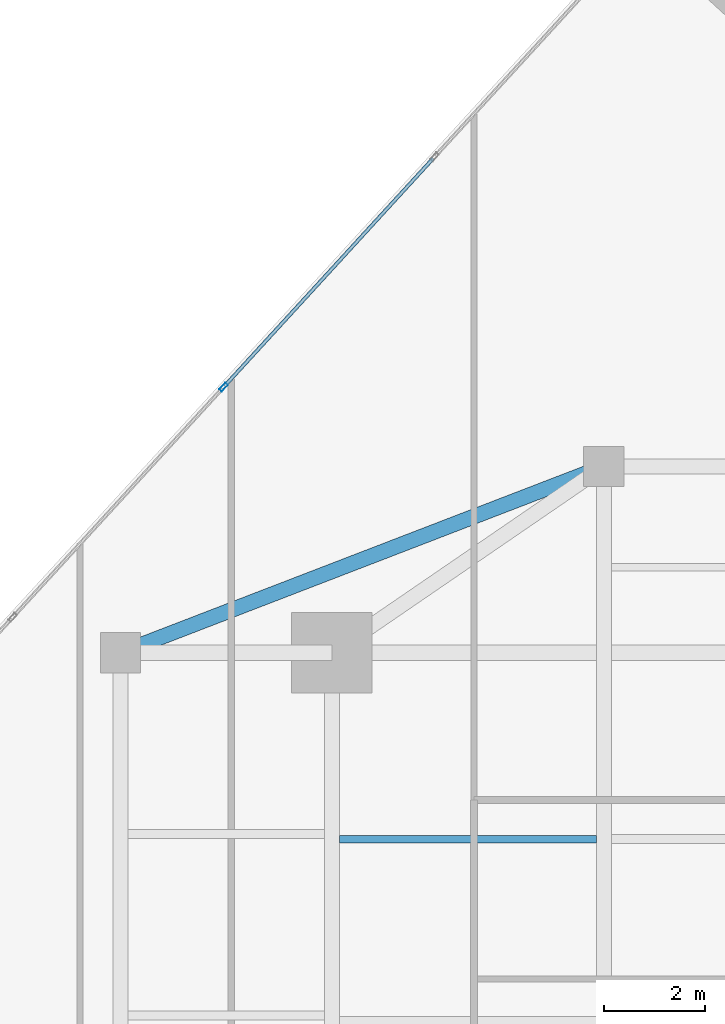
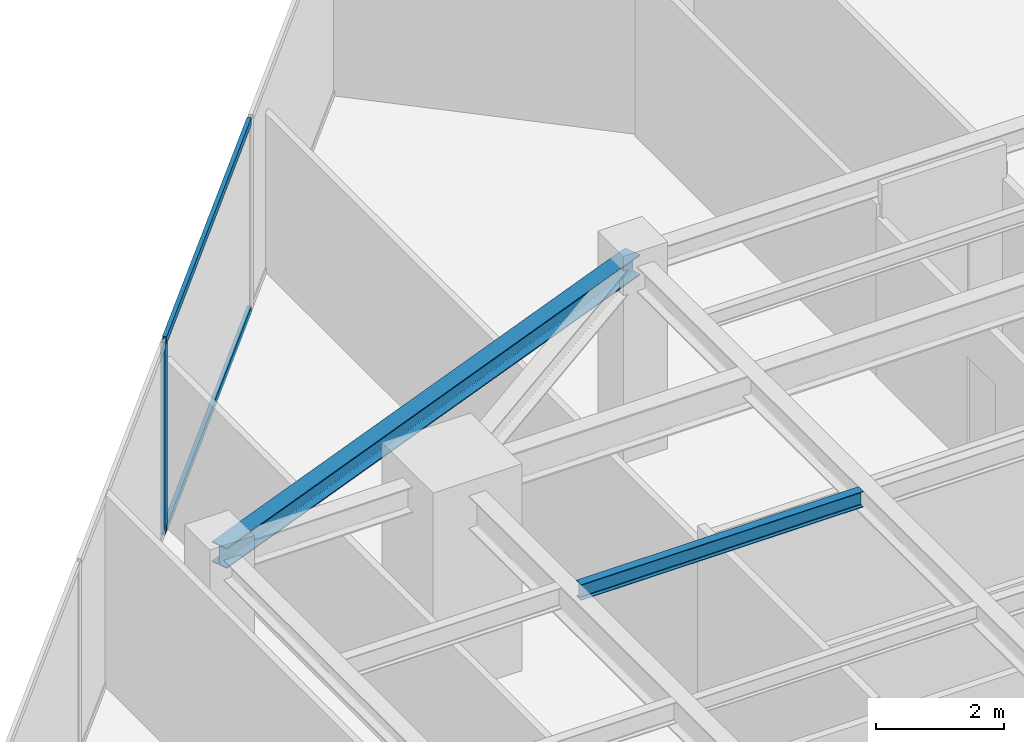
# One storey, part 15 of 26: 3 members, 2 beams, 1 element without a shape of its own.
"""IFC4 building model written with IfcOpenShell, lengths in metres."""

from ifc_helpers import new_model, si_unit, direction, frame, origin, origin_2d, place, context, subcontext, project, spatial, hollow_rectangle, i_section, extrude, source, transform, mapped, material, material_profile, profile_set, type_object, type_shapes, element, aggregate, save


model = new_model("IFC4")

# Units and contexts
model_context = context("Model", 3, precision=1e-05, world=origin(), true_north=direction((0.0, 1.0)))
body_context = subcontext(model_context, "Body", "Model", "MODEL_VIEW")
ifc_project = project(units=[si_unit("LENGTHUNIT", "METRE"), si_unit("AREAUNIT", "SQUARE_METRE"), si_unit("VOLUMEUNIT", "CUBIC_METRE"), si_unit("PLANEANGLEUNIT", "RADIAN"), si_unit("MASSUNIT", "GRAM", prefix="KILO")], contexts=[model_context])

# Site, building, storey
site_placement = place(None, origin())
site = spatial("IfcSite", under=ifc_project, at=site_placement, CompositionType="ELEMENT")
building_placement = place(site_placement, origin())
building = spatial("IfcBuilding", under=site, at=building_placement, Name="Krantzveldt Concourse Tower", CompositionType="ELEMENT")
storey_placement = place(building_placement, frame((0.0, 0.0, 227.050048828125)))
storey = spatial("IfcBuildingStorey", under=building, at=storey_placement, Name="L55", CompositionType="ELEMENT", Elevation=227.050048828125)

# Beams
ifc_material_1 = material(Name="Steel S355JR", Category="steel")
ifc_material_profile_1 = material_profile(ifc_material_1, i_section(OverallWidth=0.300048828125, OverallDepth=0.389892578125, WebThickness=0.010986328125, FlangeThickness=0.01904296875, FilletRadius=0.027099609375, at=origin_2d()), Name="Steel S355JR", Category="steel")
ifc_profile_set_1 = profile_set([ifc_material_profile_1], Name="Steel S355JR - HEA 400")
beam_type_1 = type_object("IfcBeamType", Name="BM-SP-HEA400", PredefinedType="SPANDREL", material=ifc_profile_set_1)
shared_shape_1 = source(origin(), body_context, "Body", "SweptSolid", [
    extrude(i_section(OverallWidth=0.300048828125, OverallDepth=0.389892578125, WebThickness=0.010986328125, FlangeThickness=0.01904296875, FilletRadius=0.027099609375, at=origin_2d()), origin(), (0.0, 0.0, 1.0), 10.288330078125),
])
type_shapes(beam_type_1, [shared_shape_1])
beam_1_placement = place(storey_placement, frame((21.0, 37.5, 3.474853515625), z_axis=(0.933097690408, 0.359622997257, 0.0), x_axis=(-0.359622997257, 0.933097690408, 0.0)))
element("IfcBeam", 1, at=beam_1_placement, inside=storey, type_object=beam_type_1, Name="L55 Tower Girder SP-R03", PredefinedType="SPANDREL", context=body_context, shape_type="MappedRepresentation", body=[
    mapped(shared_shape_1, transform((0.0, 0.0, 0.0), x_axis=(1.0, 0.0, 0.0), y_axis=(0.0, 1.0, 0.0), z_axis=(0.0, 0.0, 1.0), scale=1.0)),
])
ifc_material_profile_2 = material_profile(ifc_material_1, i_section(OverallWidth=0.14990234375, OverallDepth=0.300048828125, WebThickness=0.007080078125, FlangeThickness=0.0107421875, FilletRadius=0.014892578125, at=origin_2d()), Name="Steel S355JR", Category="steel")
ifc_profile_set_2 = profile_set([ifc_material_profile_2], Name="Steel S355JR - IPE 300")
beam_type_2 = type_object("IfcBeamType", Name="BM-J-IPE300", PredefinedType="JOIST", material=ifc_profile_set_2)
shared_shape_2 = source(origin(), body_context, "Body", "SweptSolid", [
    extrude(i_section(OverallWidth=0.14990234375, OverallDepth=0.300048828125, WebThickness=0.007080078125, FlangeThickness=0.0107421875, FilletRadius=0.014892578125, at=origin_2d()), origin(), (0.0, 0.0, 1.0), 5.099853515625),
])
type_shapes(beam_type_2, [shared_shape_2])
beam_2_placement = place(storey_placement, frame((25.35009765625, 33.800048828125, 3.52001953125), z_axis=(1.0, 0.0, 0.0), x_axis=(0.0, 1.0, 0.0)))
element("IfcBeam", 2, at=beam_2_placement, inside=storey, type_object=beam_type_2, Name="L55 Secondary Floor Joist JN-W2", PredefinedType="JOIST", context=body_context, shape_type="MappedRepresentation", body=[
    mapped(shared_shape_2, transform((0.0, 0.0, 0.0), x_axis=(1.0, 0.0, 0.0), y_axis=(0.0, 1.0, 0.0), z_axis=(0.0, 0.0, 1.0), scale=1.0)),
])

# Curtain wall, members
ifc_material_2 = material(Name="Anodised aluminium 6063-T6", Category="aluminium")
curtain_wall_type = type_object("IfcCurtainWallType", Name="CW3", PredefinedType="USERDEFINED", material=ifc_material_2)
curtain_wall_placement = place(storey_placement, origin())
curtain_wall = element("IfcCurtainWall", 3, at=curtain_wall_placement, inside=storey, type_object=curtain_wall_type, Name="CW-L55-F01", ObjectType="UNITISED CURTAIN WALL", PredefinedType="USERDEFINED")
ifc_material_profile_3 = material_profile(ifc_material_2, hollow_rectangle(XDim=0.070068359375, YDim=0.179931640625, WallThickness=0.0048828125, at=origin_2d()), Name="Anodised aluminium 6063-T6", Category="aluminium")
ifc_profile_set_3 = profile_set([ifc_material_profile_3], Name="Anodised aluminium 6063-T6 - ALU-MULL 180x70x5")
member_type_1 = type_object("IfcMemberType", Name="CW-MUL-180", PredefinedType="MULLION", material=ifc_profile_set_3)
shared_shape_3 = source(origin(), body_context, "Body", "SweptSolid", [
    extrude(hollow_rectangle(XDim=0.070068359375, YDim=0.179931640625, WallThickness=0.0048828125, at=origin_2d()), origin(), (0.0, 0.0, 1.0), 3.669921875),
])
type_shapes(member_type_1, [shared_shape_3])
member_1_placement = place(storey_placement, frame((23.04638671875, 42.7744140625, 0.0), z_axis=(0.0, 0.0, 1.0), x_axis=(0.737277477893, -0.675590053651, 0.0)))
member_1 = element("IfcMember", 4, at=member_1_placement, type_object=member_type_1, Name="CW-Z34 mullion 3", PredefinedType="MULLION", context=body_context, shape_type="MappedRepresentation", body=[
    mapped(shared_shape_3, transform((0.0, 0.0, 0.0), x_axis=(1.0, 0.0, 0.0), y_axis=(0.0, 1.0, 0.0), z_axis=(0.0, 0.0, 1.0), scale=1.0)),
])
ifc_material_profile_4 = material_profile(ifc_material_2, hollow_rectangle(XDim=0.070068359375, YDim=0.139892578125, WallThickness=0.0048828125, at=origin_2d()), Name="Anodised aluminium 6063-T6", Category="aluminium")
ifc_profile_set_4 = profile_set([ifc_material_profile_4], Name="Anodised aluminium 6063-T6 - ALU-TRAN 140x70x5")
member_type_2 = type_object("IfcMemberType", Name="CW-TRN-150", PredefinedType="USERDEFINED", material=ifc_profile_set_4)
shared_shape_4 = source(origin(), body_context, "Body", "SweptSolid", [
    extrude(hollow_rectangle(XDim=0.070068359375, YDim=0.139892578125, WallThickness=0.0048828125, at=origin_2d()), origin(), (0.0, 0.0, 1.0), 6.130126953125),
])
type_shapes(member_type_2, [shared_shape_4])
member_2_placement = place(storey_placement, frame((27.21142578125, 47.319580078125, 0.034912109375), z_axis=(-0.675587551404, -0.737279770771, 0.0), x_axis=(0.737279770771, -0.675587551404, 0.0)))
member_2 = element("IfcMember", 5, at=member_2_placement, type_object=member_type_2, Name="CW-Z34 transom 2.1", ObjectType="TRANSOM", PredefinedType="USERDEFINED", context=body_context, shape_type="MappedRepresentation", body=[
    mapped(shared_shape_4, transform((0.0, 0.0, 0.0), x_axis=(1.0, 0.0, 0.0), y_axis=(0.0, 1.0, 0.0), z_axis=(0.0, 0.0, 1.0), scale=1.0)),
])
member_3_placement = place(storey_placement, frame((27.21142578125, 47.319580078125, 3.635009765625), z_axis=(-0.675587551404, -0.737279770771, 0.0), x_axis=(0.737279770771, -0.675587551404, 0.0)))
member_3 = element("IfcMember", 6, at=member_3_placement, type_object=member_type_2, Name="CW-Z34 transom 2.2", ObjectType="TRANSOM", PredefinedType="USERDEFINED", context=body_context, shape_type="MappedRepresentation", body=[
    mapped(shared_shape_4, transform((0.0, 0.0, 0.0), x_axis=(1.0, 0.0, 0.0), y_axis=(0.0, 1.0, 0.0), z_axis=(0.0, 0.0, 1.0), scale=1.0)),
])
aggregate(curtain_wall, [member_1, member_2, member_3])

save(model, "model.ifc")
